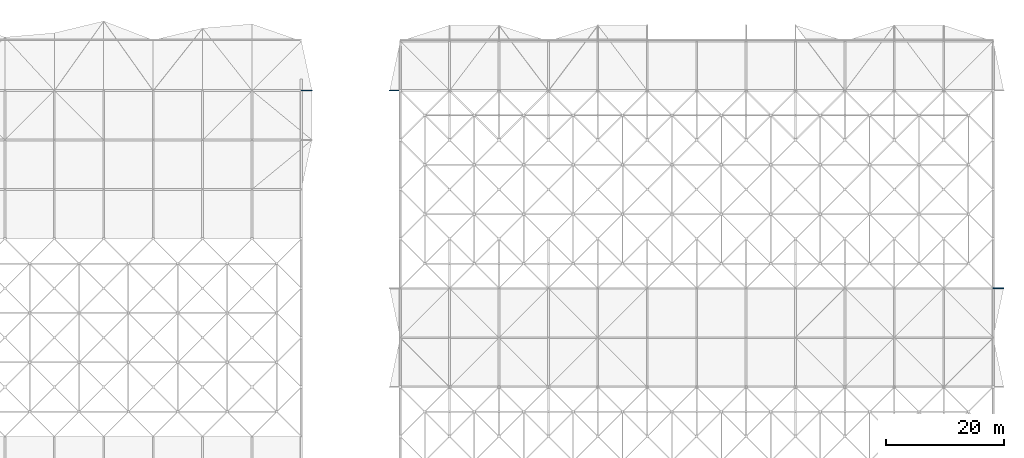
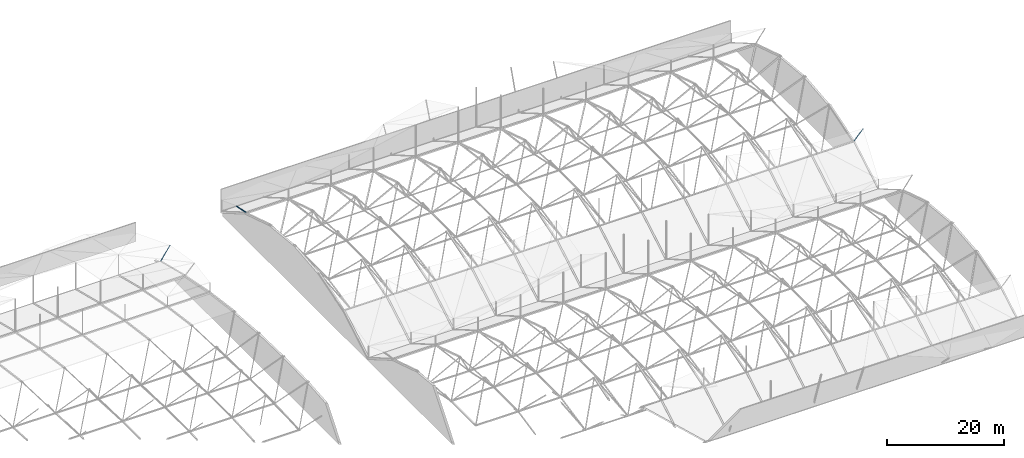
# One storey, part 88 of 111: 3 discrete accessories.
"""IFC4 building model written with IfcOpenShell, lengths in metres."""

from ifc_helpers import new_model, si_unit, direction, frame, origin, origin_2d, place, context, subcontext, project, spatial, hollow_circle, extrude, material, material_profile, profile_set, type_object, element, save


model = new_model("IFC4")

# Units and contexts
model_context = context("Model", 3, precision=1e-05, world=origin(), true_north=direction((0.0, 1.0)))
body_context = subcontext(model_context, "Body", "Model", "MODEL_VIEW")
ifc_project = project(units=[si_unit("LENGTHUNIT", "METRE"), si_unit("AREAUNIT", "SQUARE_METRE"), si_unit("VOLUMEUNIT", "CUBIC_METRE"), si_unit("PLANEANGLEUNIT", "RADIAN"), si_unit("MASSUNIT", "GRAM", prefix="KILO")], contexts=[model_context])

# Site, building, storey
site_placement = place(None, origin())
site = spatial("IfcSite", under=ifc_project, at=site_placement, CompositionType="ELEMENT")
building_placement = place(site_placement, origin())
building = spatial("IfcBuilding", under=site, at=building_placement, Name="Rain Tree Exposition and Congress Centre", CompositionType="ELEMENT")
storey_placement = place(building_placement, frame((0.0, 0.0, 19.5)))
storey = spatial("IfcBuildingStorey", under=building, at=storey_placement, Name="RF", CompositionType="ELEMENT", Elevation=19.5)

# Discrete accessories
ifc_material = material(Name="Steel S355J2H", Category="steel")
ifc_material_profile = material_profile(ifc_material, hollow_circle(Radius=0.05712890625, WallThickness=0.00439453125, at=origin_2d()), Name="CHS 114x4.5")
ifc_profile_set = profile_set([ifc_material_profile], Name="Steel S355J2H")
discrete_accessory_type = type_object("IfcDiscreteAccessoryType", Name="Roof skin post CHS 114x4.5", PredefinedType="BRACKET", material=ifc_profile_set)
discrete_accessory_1_placement = place(storey_placement, frame((126.0, 193.199951171875, 1.11669921875), z_axis=(0.563042959496, 0.0, 0.826427628871), x_axis=(0.0, 1.0, 0.0)))
element("IfcDiscreteAccessory", 1, at=discrete_accessory_1_placement, inside=storey, type_object=discrete_accessory_type, Name="Roof skin post A180", PredefinedType="BRACKET", context=body_context, shape_type="SweptSolid", body=[
    extrude(hollow_circle(Radius=0.05712890625, WallThickness=0.00439453125, at=origin_2d()), origin(), (0.0, 0.0, 1.0), 3.197021484375),
])
discrete_accessory_2_placement = place(storey_placement, frame((243.60009765625, 159.60009765625, 5.39404296875), z_axis=(0.683916440677, 0.0, 0.729560348547), x_axis=(0.0, 1.0, 0.0)))
element("IfcDiscreteAccessory", 2, at=discrete_accessory_2_placement, inside=storey, type_object=discrete_accessory_type, Name="Roof skin post B104", PredefinedType="BRACKET", context=body_context, shape_type="SweptSolid", body=[
    extrude(hollow_circle(Radius=0.05712890625, WallThickness=0.00439453125, at=origin_2d()), origin(), (0.0, 0.0, 1.0), 2.631591796875),
])
discrete_accessory_3_placement = place(storey_placement, frame((142.800048828125, 193.199951171875, 5.39404296875), z_axis=(-0.683965814736, 0.0, 0.729514060367), x_axis=(0.0, -1.0, 0.0)))
element("IfcDiscreteAccessory", 3, at=discrete_accessory_3_placement, inside=storey, type_object=discrete_accessory_type, Name="Roof skin post B144", PredefinedType="BRACKET", context=body_context, shape_type="SweptSolid", body=[
    extrude(hollow_circle(Radius=0.05712890625, WallThickness=0.00439453125, at=origin_2d()), origin(), (0.0, 0.0, 1.0), 2.6318359375),
])

save(model, "model.ifc")
